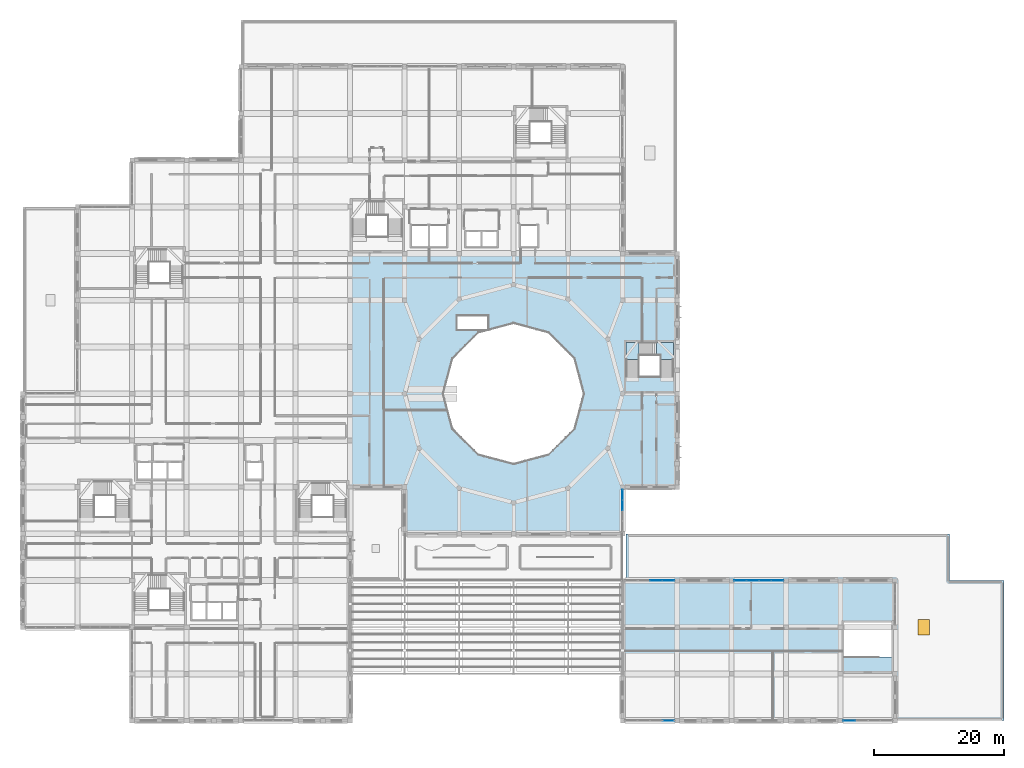
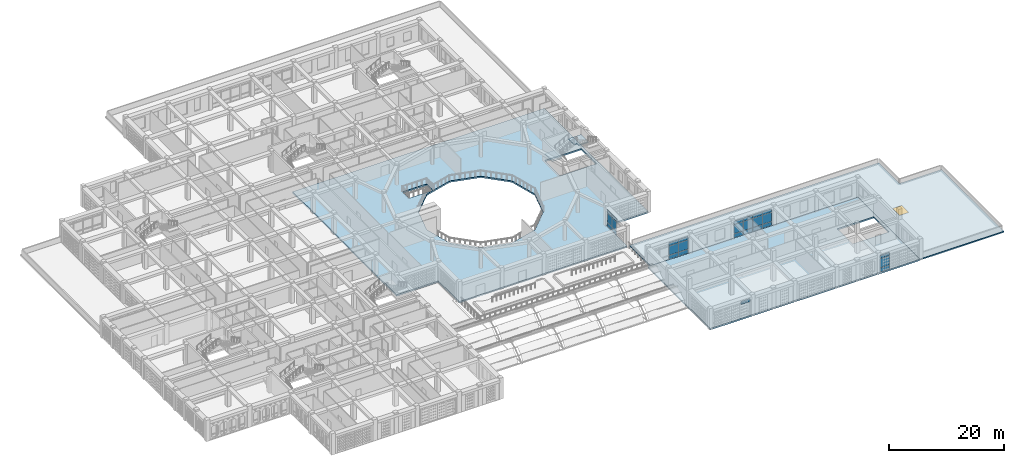
# One storey, part 43 of 100: 28 plates, 5 slabs, 1 window, 1 opening, 6 elements without a shape of their own.
"""IFC4 building model written with IfcOpenShell, lengths in metres."""

from ifc_helpers import new_model, si_unit, derived_unit, direction, frame, origin, origin_2d, place, context, subcontext, project, spatial, polyline, rectangle, outline, extrude, material, layer, layer_set, type_object, element, fill, aggregate, save


model = new_model("IFC4")

# Units and contexts
model_context = context("Model", 3, precision=1e-05, world=origin(), true_north=direction((0.0, 1.0)))
body_context = subcontext(model_context, "Body", "Model", "MODEL_VIEW")
ifc_project = project(units=[si_unit("LENGTHUNIT", "METRE"), si_unit("AREAUNIT", "SQUARE_METRE"), si_unit("VOLUMEUNIT", "CUBIC_METRE"), si_unit("PLANEANGLEUNIT", "RADIAN"), si_unit("MASSUNIT", "GRAM", prefix="KILO"), derived_unit("THERMALTRANSMITTANCEUNIT", [(si_unit("POWERUNIT", "WATT"), 1), (si_unit("LENGTHUNIT", "METRE"), -2), (si_unit("THERMODYNAMICTEMPERATUREUNIT", "KELVIN"), -1)])], contexts=[model_context])

# Site, building, storey
site_placement = place(None, origin())
site = spatial("IfcSite", under=ifc_project, at=site_placement, CompositionType="ELEMENT")
building_placement = place(site_placement, origin())
building = spatial("IfcBuilding", under=site, at=building_placement, Name="Veybourne Emporium", CompositionType="ELEMENT")
storey_placement = place(building_placement, frame((0.0, 0.0, 14.39990234375)))
storey = spatial("IfcBuildingStorey", under=building, at=storey_placement, Name="L03", CompositionType="ELEMENT", Elevation=14.39990234375)

# Curtain wall, plates
ifc_material_1 = material(Name="Patinated Architectural Bronze", Category="bronze")
curtain_wall_type_1 = type_object("IfcCurtainWallType", Name="CWSystem_CWS-17", PredefinedType="NOTDEFINED", material=ifc_material_1)
curtain_wall_1_placement = place(storey_placement, origin())
curtain_wall_1 = element("IfcCurtainWall", 1, at=curtain_wall_1_placement, inside=storey, type_object=curtain_wall_type_1, Name="L03 bronze glazed curtain wall CWS-17 (042)", PredefinedType="NOTDEFINED")
ifc_material_2 = material(Name="Low-E Triple Glazing", Category="glass")
ifc_layer_1 = layer(ifc_material_2, 0.028076171875)
ifc_layer_set_1 = layer_set([ifc_layer_1], Name="Low-E Triple Glazing")
plate_type = type_object("IfcPlateType", Name="CWPanel_CW-P1", PredefinedType="CURTAIN_PANEL", material=ifc_layer_set_1)
plate_1_placement = place(storey_placement, frame((92.39990234375, 34.819580078125, 0.072021484375), z_axis=(0.0, 0.0, 1.0), x_axis=(0.0, -1.0, 0.0)))
plate_1 = element("IfcPlate", 2, at=plate_1_placement, type_object=plate_type, Name="CWS-17 panel 1.1", PredefinedType="CURTAIN_PANEL", context=body_context, shape_type="SweptSolid", body=[
    extrude(rectangle(XDim=1.51708984375, YDim=0.028076171875, at=origin_2d()), origin(), (0.0, 0.0, 1.0), 0.7919921875),
])
plate_2_placement = place(storey_placement, frame((92.39990234375, 34.819580078125, 0.93603515625), z_axis=(0.0, 0.0, 1.0), x_axis=(0.0, -1.0, 0.0)))
plate_2 = element("IfcPlate", 3, at=plate_2_placement, type_object=plate_type, Name="CWS-17 panel 1.2", PredefinedType="CURTAIN_PANEL", context=body_context, shape_type="SweptSolid", body=[
    extrude(rectangle(XDim=1.51708984375, YDim=0.028076171875, at=origin_2d()), origin(), (0.0, 0.0, 1.0), 1.907958984375),
])
plate_3_placement = place(storey_placement, frame((92.39990234375, 34.819580078125, 2.916015625), z_axis=(0.0, 0.0, 1.0), x_axis=(0.0, -1.0, 0.0)))
plate_3 = element("IfcPlate", 4, at=plate_3_placement, type_object=plate_type, Name="CWS-17 panel 1.3", PredefinedType="CURTAIN_PANEL", context=body_context, shape_type="SweptSolid", body=[
    extrude(rectangle(XDim=1.51708984375, YDim=0.028076171875, at=origin_2d()), origin(), (0.0, 0.0, 1.0), 0.64208984375),
])
plate_4_placement = place(storey_placement, frame((92.39990234375, 33.21240234375, 0.072021484375), z_axis=(0.0, 0.0, 1.0), x_axis=(0.0, -1.0, 0.0)))
plate_4 = element("IfcPlate", 5, at=plate_4_placement, type_object=plate_type, Name="CWS-17 panel 2.1", PredefinedType="CURTAIN_PANEL", context=body_context, shape_type="SweptSolid", body=[
    extrude(rectangle(XDim=1.552978515625, YDim=0.028076171875, at=origin_2d()), origin(), (0.0, 0.0, 1.0), 0.7919921875),
])
plate_5_placement = place(storey_placement, frame((92.39990234375, 33.21240234375, 0.93603515625), z_axis=(0.0, 0.0, 1.0), x_axis=(0.0, -1.0, 0.0)))
plate_5 = element("IfcPlate", 6, at=plate_5_placement, type_object=plate_type, Name="CWS-17 panel 2.2", PredefinedType="CURTAIN_PANEL", context=body_context, shape_type="SweptSolid", body=[
    extrude(rectangle(XDim=1.552978515625, YDim=0.028076171875, at=origin_2d()), origin(), (0.0, 0.0, 1.0), 1.907958984375),
])
plate_6_placement = place(storey_placement, frame((92.39990234375, 33.21240234375, 2.916015625), z_axis=(0.0, 0.0, 1.0), x_axis=(0.0, -1.0, 0.0)))
plate_6 = element("IfcPlate", 7, at=plate_6_placement, type_object=plate_type, Name="CWS-17 panel 2.3", PredefinedType="CURTAIN_PANEL", context=body_context, shape_type="SweptSolid", body=[
    extrude(rectangle(XDim=1.552978515625, YDim=0.028076171875, at=origin_2d()), origin(), (0.0, 0.0, 1.0), 0.64208984375),
])
aggregate(curtain_wall_1, [plate_1, plate_2, plate_3, plate_4, plate_5, plate_6])

# Curtain wall, plate
curtain_wall_type_2 = type_object("IfcCurtainWallType", Name="CWSystem_CWS-19", PredefinedType="NOTDEFINED", material=ifc_material_1)
curtain_wall_2_placement = place(storey_placement, origin())
curtain_wall_2 = element("IfcCurtainWall", 8, at=curtain_wall_2_placement, inside=storey, type_object=curtain_wall_type_2, Name="L03 bronze glazed curtain wall CWS-19 (048)", PredefinedType="NOTDEFINED")
plate_7_placement = place(storey_placement, frame((99.468017578125, 0.0, 2.9189453125), z_axis=(0.0, 0.0, 1.0), x_axis=(-1.0, 0.0, 0.0)))
plate_7 = element("IfcPlate", 9, at=plate_7_placement, type_object=plate_type, Name="CWS-19 panel 1.3", PredefinedType="CURTAIN_PANEL", context=body_context, shape_type="SweptSolid", body=[
    extrude(rectangle(XDim=1.80810546875, YDim=0.028076171875, at=origin_2d()), origin(), (0.0, 0.0, 1.0), 0.633056640625),
])
aggregate(curtain_wall_2, [plate_7])

# Curtain wall, plates
curtain_wall_type_3 = type_object("IfcCurtainWallType", Name="CWSystem_CWS-20", PredefinedType="NOTDEFINED", material=ifc_material_1)
curtain_wall_3_placement = place(storey_placement, origin())
curtain_wall_3 = element("IfcCurtainWall", 10, at=curtain_wall_3_placement, inside=storey, type_object=curtain_wall_type_3, Name="L03 bronze glazed curtain wall CWS-20 (051)", PredefinedType="NOTDEFINED")
plate_8_placement = place(storey_placement, frame((97.5625, 21.60009765625, 0.070068359375), z_axis=(0.0, 0.0, 1.0), x_axis=(1.0, 0.0, 0.0)))
plate_8 = element("IfcPlate", 11, at=plate_8_placement, type_object=plate_type, Name="CWS-20 panel 3.1", PredefinedType="CURTAIN_PANEL", context=body_context, shape_type="SweptSolid", body=[
    extrude(rectangle(XDim=1.85498046875, YDim=0.028076171875, at=origin_2d()), origin(), (0.0, 0.0, 1.0), 0.794921875),
])
plate_9_placement = place(storey_placement, frame((97.5625, 21.60009765625, 0.93505859375), z_axis=(0.0, 0.0, 1.0), x_axis=(1.0, 0.0, 0.0)))
plate_9 = element("IfcPlate", 12, at=plate_9_placement, type_object=plate_type, Name="CWS-20 panel 3.2", PredefinedType="CURTAIN_PANEL", context=body_context, shape_type="SweptSolid", body=[
    extrude(rectangle(XDim=1.85498046875, YDim=0.028076171875, at=origin_2d()), origin(), (0.0, 0.0, 1.0), 1.909912109375),
])
plate_10_placement = place(storey_placement, frame((97.5625, 21.60009765625, 2.9150390625), z_axis=(0.0, 0.0, 1.0), x_axis=(1.0, 0.0, 0.0)))
plate_10 = element("IfcPlate", 13, at=plate_10_placement, type_object=plate_type, Name="CWS-20 panel 3.3", PredefinedType="CURTAIN_PANEL", context=body_context, shape_type="SweptSolid", body=[
    extrude(rectangle(XDim=1.85498046875, YDim=0.028076171875, at=origin_2d()), origin(), (0.0, 0.0, 1.0), 0.64501953125),
])
plate_11_placement = place(storey_placement, frame((99.469970703125, 21.60009765625, 0.070068359375), z_axis=(0.0, 0.0, 1.0), x_axis=(1.0, 0.0, 0.0)))
plate_11 = element("IfcPlate", 14, at=plate_11_placement, type_object=plate_type, Name="CWS-20 panel 4.1", PredefinedType="CURTAIN_PANEL", context=body_context, shape_type="SweptSolid", body=[
    extrude(rectangle(XDim=1.820068359375, YDim=0.028076171875, at=origin_2d()), origin(), (0.0, 0.0, 1.0), 0.794921875),
])
plate_12_placement = place(storey_placement, frame((99.469970703125, 21.60009765625, 0.93505859375), z_axis=(0.0, 0.0, 1.0), x_axis=(1.0, 0.0, 0.0)))
plate_12 = element("IfcPlate", 15, at=plate_12_placement, type_object=plate_type, Name="CWS-20 panel 4.2", PredefinedType="CURTAIN_PANEL", context=body_context, shape_type="SweptSolid", body=[
    extrude(rectangle(XDim=1.820068359375, YDim=0.028076171875, at=origin_2d()), origin(), (0.0, 0.0, 1.0), 1.909912109375),
])
plate_13_placement = place(storey_placement, frame((99.469970703125, 21.60009765625, 2.9150390625), z_axis=(0.0, 0.0, 1.0), x_axis=(1.0, 0.0, 0.0)))
plate_13 = element("IfcPlate", 16, at=plate_13_placement, type_object=plate_type, Name="CWS-20 panel 4.3", PredefinedType="CURTAIN_PANEL", context=body_context, shape_type="SweptSolid", body=[
    extrude(rectangle(XDim=1.820068359375, YDim=0.028076171875, at=origin_2d()), origin(), (0.0, 0.0, 1.0), 0.64501953125),
])
aggregate(curtain_wall_3, [plate_8, plate_9, plate_10, plate_11, plate_12, plate_13])

curtain_wall_type_4 = type_object("IfcCurtainWallType", Name="CWSystem_CWS-21", PredefinedType="NOTDEFINED", material=ifc_material_1)
curtain_wall_4_placement = place(storey_placement, origin())
curtain_wall_4 = element("IfcCurtainWall", 17, at=curtain_wall_4_placement, inside=storey, type_object=curtain_wall_type_4, Name="L03 bronze glazed curtain wall CWS-21 (063)", PredefinedType="NOTDEFINED")
plate_14_placement = place(storey_placement, frame((110.530517578125, 21.60009765625, 0.072021484375), z_axis=(0.0, 0.0, 1.0), x_axis=(1.0, 0.0, 0.0)))
plate_14 = element("IfcPlate", 18, at=plate_14_placement, type_object=plate_type, Name="CWS-21 panel 1.1", PredefinedType="CURTAIN_PANEL", context=body_context, shape_type="SweptSolid", body=[
    extrude(rectangle(XDim=1.81689453125, YDim=0.028076171875, at=origin_2d()), origin(), (0.0, 0.0, 1.0), 0.7919921875),
])
plate_15_placement = place(storey_placement, frame((110.530517578125, 21.60009765625, 0.93603515625), z_axis=(0.0, 0.0, 1.0), x_axis=(1.0, 0.0, 0.0)))
plate_15 = element("IfcPlate", 19, at=plate_15_placement, type_object=plate_type, Name="CWS-21 panel 1.2", PredefinedType="CURTAIN_PANEL", context=body_context, shape_type="SweptSolid", body=[
    extrude(rectangle(XDim=1.81689453125, YDim=0.028076171875, at=origin_2d()), origin(), (0.0, 0.0, 1.0), 1.907958984375),
])
plate_16_placement = place(storey_placement, frame((110.530517578125, 21.60009765625, 2.916015625), z_axis=(0.0, 0.0, 1.0), x_axis=(1.0, 0.0, 0.0)))
plate_16 = element("IfcPlate", 20, at=plate_16_placement, type_object=plate_type, Name="CWS-21 panel 1.3", PredefinedType="CURTAIN_PANEL", context=body_context, shape_type="SweptSolid", body=[
    extrude(rectangle(XDim=1.81689453125, YDim=0.028076171875, at=origin_2d()), origin(), (0.0, 0.0, 1.0), 0.64208984375),
])
plate_17_placement = place(storey_placement, frame((112.4375, 21.60009765625, 0.072021484375), z_axis=(0.0, 0.0, 1.0), x_axis=(1.0, 0.0, 0.0)))
plate_17 = element("IfcPlate", 21, at=plate_17_placement, type_object=plate_type, Name="CWS-21 panel 2.1", PredefinedType="CURTAIN_PANEL", context=body_context, shape_type="SweptSolid", body=[
    extrude(rectangle(XDim=1.85302734375, YDim=0.028076171875, at=origin_2d()), origin(), (0.0, 0.0, 1.0), 0.7919921875),
])
plate_18_placement = place(storey_placement, frame((112.4375, 21.60009765625, 0.93603515625), z_axis=(0.0, 0.0, 1.0), x_axis=(1.0, 0.0, 0.0)))
plate_18 = element("IfcPlate", 22, at=plate_18_placement, type_object=plate_type, Name="CWS-21 panel 2.2", PredefinedType="CURTAIN_PANEL", context=body_context, shape_type="SweptSolid", body=[
    extrude(rectangle(XDim=1.85302734375, YDim=0.028076171875, at=origin_2d()), origin(), (0.0, 0.0, 1.0), 1.907958984375),
])
plate_19_placement = place(storey_placement, frame((112.4375, 21.60009765625, 2.916015625), z_axis=(0.0, 0.0, 1.0), x_axis=(1.0, 0.0, 0.0)))
plate_19 = element("IfcPlate", 23, at=plate_19_placement, type_object=plate_type, Name="CWS-21 panel 2.3", PredefinedType="CURTAIN_PANEL", context=body_context, shape_type="SweptSolid", body=[
    extrude(rectangle(XDim=1.85302734375, YDim=0.028076171875, at=origin_2d()), origin(), (0.0, 0.0, 1.0), 0.64208984375),
])
plate_20_placement = place(storey_placement, frame((114.362548828125, 21.60009765625, 0.072021484375), z_axis=(0.0, 0.0, 1.0), x_axis=(1.0, 0.0, 0.0)))
plate_20 = element("IfcPlate", 24, at=plate_20_placement, type_object=plate_type, Name="CWS-21 panel 3.1", PredefinedType="CURTAIN_PANEL", context=body_context, shape_type="SweptSolid", body=[
    extrude(rectangle(XDim=1.85302734375, YDim=0.028076171875, at=origin_2d()), origin(), (0.0, 0.0, 1.0), 0.7919921875),
])
plate_21_placement = place(storey_placement, frame((114.362548828125, 21.60009765625, 0.93603515625), z_axis=(0.0, 0.0, 1.0), x_axis=(1.0, 0.0, 0.0)))
plate_21 = element("IfcPlate", 25, at=plate_21_placement, type_object=plate_type, Name="CWS-21 panel 3.2", PredefinedType="CURTAIN_PANEL", context=body_context, shape_type="SweptSolid", body=[
    extrude(rectangle(XDim=1.85302734375, YDim=0.028076171875, at=origin_2d()), origin(), (0.0, 0.0, 1.0), 1.907958984375),
])
plate_22_placement = place(storey_placement, frame((114.362548828125, 21.60009765625, 2.916015625), z_axis=(0.0, 0.0, 1.0), x_axis=(1.0, 0.0, 0.0)))
plate_22 = element("IfcPlate", 26, at=plate_22_placement, type_object=plate_type, Name="CWS-21 panel 3.3", PredefinedType="CURTAIN_PANEL", context=body_context, shape_type="SweptSolid", body=[
    extrude(rectangle(XDim=1.85302734375, YDim=0.028076171875, at=origin_2d()), origin(), (0.0, 0.0, 1.0), 0.64208984375),
])
plate_23_placement = place(storey_placement, frame((116.26953125, 21.60009765625, 0.072021484375), z_axis=(0.0, 0.0, 1.0), x_axis=(1.0, 0.0, 0.0)))
plate_23 = element("IfcPlate", 27, at=plate_23_placement, type_object=plate_type, Name="CWS-21 panel 4.1", PredefinedType="CURTAIN_PANEL", context=body_context, shape_type="SweptSolid", body=[
    extrude(rectangle(XDim=1.81689453125, YDim=0.028076171875, at=origin_2d()), origin(), (0.0, 0.0, 1.0), 0.7919921875),
])
plate_24_placement = place(storey_placement, frame((116.26953125, 21.60009765625, 0.93603515625), z_axis=(0.0, 0.0, 1.0), x_axis=(1.0, 0.0, 0.0)))
plate_24 = element("IfcPlate", 28, at=plate_24_placement, type_object=plate_type, Name="CWS-21 panel 4.2", PredefinedType="CURTAIN_PANEL", context=body_context, shape_type="SweptSolid", body=[
    extrude(rectangle(XDim=1.81689453125, YDim=0.028076171875, at=origin_2d()), origin(), (0.0, 0.0, 1.0), 1.907958984375),
])
plate_25_placement = place(storey_placement, frame((116.26953125, 21.60009765625, 2.916015625), z_axis=(0.0, 0.0, 1.0), x_axis=(1.0, 0.0, 0.0)))
plate_25 = element("IfcPlate", 29, at=plate_25_placement, type_object=plate_type, Name="CWS-21 panel 4.3", PredefinedType="CURTAIN_PANEL", context=body_context, shape_type="SweptSolid", body=[
    extrude(rectangle(XDim=1.81689453125, YDim=0.028076171875, at=origin_2d()), origin(), (0.0, 0.0, 1.0), 0.64208984375),
])
aggregate(curtain_wall_4, [plate_14, plate_15, plate_16, plate_17, plate_18, plate_19, plate_20, plate_21, plate_22, plate_23, plate_24, plate_25])

curtain_wall_type_5 = type_object("IfcCurtainWallType", Name="CWSystem_CWS-22", PredefinedType="NOTDEFINED", material=ifc_material_1)
curtain_wall_5_placement = place(storey_placement, origin())
curtain_wall_5 = element("IfcCurtainWall", 30, at=curtain_wall_5_placement, inside=storey, type_object=curtain_wall_type_5, Name="L03 bronze glazed curtain wall CWS-22 (066)", PredefinedType="NOTDEFINED")
plate_26_placement = place(storey_placement, frame((127.331298828125, 0.0, 0.074951171875), z_axis=(0.0, 0.0, 1.0), x_axis=(-1.0, 0.0, 0.0)))
plate_26 = element("IfcPlate", 31, at=plate_26_placement, type_object=plate_type, Name="CWS-22 panel 4.1", PredefinedType="CURTAIN_PANEL", context=body_context, shape_type="SweptSolid", body=[
    extrude(rectangle(XDim=1.8125, YDim=0.028076171875, at=origin_2d()), origin(), (0.0, 0.0, 1.0), 0.78759765625),
])
plate_27_placement = place(storey_placement, frame((127.331298828125, 0.0, 0.9375), z_axis=(0.0, 0.0, 1.0), x_axis=(-1.0, 0.0, 0.0)))
plate_27 = element("IfcPlate", 32, at=plate_27_placement, type_object=plate_type, Name="CWS-22 panel 4.2", PredefinedType="CURTAIN_PANEL", context=body_context, shape_type="SweptSolid", body=[
    extrude(rectangle(XDim=1.8125, YDim=0.028076171875, at=origin_2d()), origin(), (0.0, 0.0, 1.0), 1.905029296875),
])
plate_28_placement = place(storey_placement, frame((127.331298828125, 0.0, 2.91748046875), z_axis=(0.0, 0.0, 1.0), x_axis=(-1.0, 0.0, 0.0)))
plate_28 = element("IfcPlate", 33, at=plate_28_placement, type_object=plate_type, Name="CWS-22 panel 4.3", PredefinedType="CURTAIN_PANEL", context=body_context, shape_type="SweptSolid", body=[
    extrude(rectangle(XDim=1.8125, YDim=0.028076171875, at=origin_2d()), origin(), (0.0, 0.0, 1.0), 0.637451171875),
])
aggregate(curtain_wall_5, [plate_26, plate_27, plate_28])

# Stair, slabs
ifc_material_3 = material(Name="Concrete C32/40", Category="concrete")
stair_type = type_object("IfcStairType", Name="Stair_ST-07-R30", PredefinedType="TWO_QUARTER_TURN_STAIR", material=ifc_material_3)
stair_placement = place(storey_placement, origin())
stair = element("IfcStair", 34, at=stair_placement, inside=storey, type_object=stair_type, Name="L03 stair ST-07", PredefinedType="TWO_QUARTER_TURN_STAIR")
ifc_layer_2 = layer(ifc_material_3, 0.199951171875)
ifc_layer_set_2 = layer_set([ifc_layer_2], Name="Concrete C32/40")
slab_type_1 = type_object("IfcSlabType", Name="Landing_LDG-01", PredefinedType="LANDING", material=ifc_layer_set_2)
slab_1_placement = place(storey_placement, frame((0.0, 0.0, 1.300048828125)))
slab_1 = element("IfcSlab", 35, at=slab_1_placement, type_object=slab_type_1, Name="ST-07-R30 landing 1", PredefinedType="LANDING", context=body_context, shape_type="SweptSolid", body=[
    extrude(outline(polyline([(92.949951171875, 55.699951171875), (94.949951171875, 55.699951171875), (94.949951171875, 58.300048828125), (92.949951171875, 58.300048828125), (92.949951171875, 55.699951171875)])), origin(), (0.0, 0.0, 1.0), 0.199951171875),
])
slab_2_placement = place(storey_placement, frame((0.0, 0.0, 2.800048828125)))
slab_2 = element("IfcSlab", 36, at=slab_2_placement, type_object=slab_type_1, Name="ST-07-R30 landing 2", PredefinedType="LANDING", context=body_context, shape_type="SweptSolid", body=[
    extrude(outline(polyline([(97.64990234375, 56.300048828125), (98.25, 56.300048828125), (98.25, 55.699951171875), (100.25, 55.699951171875), (100.25, 58.300048828125), (97.64990234375, 58.300048828125), (97.64990234375, 56.300048828125)])), origin(), (0.0, 0.0, 1.0), 0.199951171875),
])
aggregate(stair, [slab_1, slab_2])

# Slabs
ifc_layer_3 = layer(ifc_material_3, 0.320068359375)
ifc_layer_set_3 = layer_set([ifc_layer_3], Name="Concrete C32/40")
slab_type_2 = type_object("IfcSlabType", Name="Slab_FS-02", PredefinedType="FLOOR", material=ifc_layer_set_3)
slab_3_placement = place(storey_placement, frame((0.0, 0.0, -0.31982421875)))
element("IfcSlab", 37, at=slab_3_placement, inside=storey, type_object=slab_type_2, Name="L03 floor slab FS-02 (V2.1)", PredefinedType="FLOOR", context=body_context, shape_type="SweptSolid", body=[
    extrude(outline(polyline([(50.39990234375, 36.0), (50.39990234375, 43.199951171875), (50.39990234375, 50.39990234375), (50.39990234375, 57.60009765625), (50.39990234375, 64.800048828125), (50.39990234375, 72.0), (58.800048828125, 72.0), (67.199951171875, 72.0), (75.60009765625, 72.0), (84.0, 72.0), (92.39990234375, 72.0), (100.800048828125, 72.0), (100.800048828125, 64.800048828125), (100.800048828125, 57.60009765625), (100.800048828125, 50.39990234375), (100.800048828125, 43.199951171875), (100.800048828125, 36.0), (92.39990234375, 36.0), (92.39990234375, 28.800048828125), (84.0, 28.800048828125), (75.60009765625, 28.800048828125), (67.199951171875, 28.800048828125), (58.800048828125, 28.800048828125), (58.800048828125, 36.0), (50.39990234375, 36.0)]), holes=[polyline([(75.60009765625, 39.60009765625), (81.0, 41.046875), (84.953125, 45.0), (86.39990234375, 50.39990234375), (84.953125, 55.800048828125), (81.0, 59.753173828125), (75.60009765625, 61.199951171875), (70.199951171875, 59.753173828125), (66.246826171875, 55.800048828125), (64.800048828125, 50.39990234375), (66.246826171875, 45.0), (70.199951171875, 41.046875), (75.60009765625, 39.60009765625)]), polyline([(100.25, 53.0), (100.25, 58.300048828125), (92.949951171875, 58.300048828125), (92.949951171875, 53.0), (100.25, 53.0)]), polyline([(66.89990234375, 60.2119140625), (71.699951171875, 60.2119140625), (71.699951171875, 62.411865234375), (66.89990234375, 62.411865234375), (66.89990234375, 60.2119140625)])]), origin(), (0.0, 0.0, 1.0), 0.31982421875),
])
slab_4_placement = place(storey_placement, frame((0.0, 0.0, -0.31982421875)))
element("IfcSlab", 38, at=slab_4_placement, inside=storey, type_object=slab_type_2, Name="L03 floor slab FS-02 (V4.1)", PredefinedType="FLOOR", context=body_context, shape_type="SweptSolid", body=[
    extrude(outline(polyline([(92.39990234375, 21.60009765625), (100.800048828125, 21.60009765625), (109.199951171875, 21.60009765625), (117.60009765625, 21.60009765625), (126.0, 21.60009765625), (134.39990234375, 21.60009765625), (134.39990234375, 14.39990234375), (134.39990234375, 7.199951171875), (134.39990234375, 0.0), (126.0, 0.0), (117.60009765625, 0.0), (109.199951171875, 0.0), (100.800048828125, 0.0), (92.39990234375, 0.0), (92.39990234375, 7.199951171875), (92.39990234375, 14.39990234375), (92.39990234375, 21.60009765625)]), holes=[polyline([(133.85009765625, 9.800048828125), (133.85009765625, 15.10009765625), (126.550048828125, 15.10009765625), (126.550048828125, 9.800048828125), (133.85009765625, 9.800048828125)])]), origin(), (0.0, 0.0, 1.0), 0.31982421875),
])

# Slab, opening, window
ifc_layer_4 = layer(ifc_material_3, 0.260009765625)
ifc_layer_set_4 = layer_set([ifc_layer_4], Name="Concrete C32/40")
slab_type_3 = type_object("IfcSlabType", Name="Slab_RS-01", PredefinedType="ROOF", material=ifc_layer_set_4)
slab_5_placement = place(storey_placement, frame((0.0, 0.0, -0.260009765625)))
slab_5 = element("IfcSlab", 39, at=slab_5_placement, inside=storey, type_object=slab_type_3, Name="L03 flat roof slab 4", PredefinedType="ROOF", context=body_context, shape_type="SweptSolid", body=[
    extrude(outline(polyline([(117.60009765625, 21.60009765625), (109.199951171875, 21.60009765625), (100.800048828125, 21.60009765625), (92.89990234375, 21.60009765625), (92.89990234375, 28.800048828125), (100.800048828125, 28.800048828125), (109.199951171875, 28.800048828125), (117.60009765625, 28.800048828125), (126.0, 28.800048828125), (134.39990234375, 28.800048828125), (142.800048828125, 28.800048828125), (142.800048828125, 21.60009765625), (151.199951171875, 21.60009765625), (151.199951171875, 14.39990234375), (151.199951171875, 7.199951171875), (151.199951171875, 0.0), (142.800048828125, 0.0), (134.39990234375, 0.0), (134.39990234375, 7.199951171875), (134.39990234375, 14.39990234375), (134.39990234375, 21.60009765625), (126.0, 21.60009765625), (117.60009765625, 21.60009765625)])), origin(), (0.0, 0.0, 1.0), 0.260009765625),
])
opening_placement = place(slab_5_placement, frame((138.824951171875, 14.39990234375, -0.02001953125)))
opening = element("IfcOpeningElement", 40, at=opening_placement, cuts=slab_5, Name="Opening RH-04", PredefinedType="OPENING", context=body_context, shape_type="SweptSolid", body=[
    extrude(rectangle(XDim=1.800048828125, YDim=2.39990234375, at=origin_2d()), origin(), (0.0, 0.0, 1.0), 0.300048828125),
])
ifc_material_4 = material(Name="Solar Control Laminated Glass", Category="glass")
window_type = type_object("IfcWindowType", Name="Hatch_RH-04", PartitioningType="SINGLE_PANEL", PredefinedType="SKYLIGHT", material=ifc_material_4)
window_placement = place(slab_5_placement, frame((138.824951171875, 14.39990234375, 0.2099609375)))
window = element("IfcWindow", 41, at=window_placement, inside=storey, type_object=window_type, Name="L03 roof access skylight hatch RH-04", OverallHeight=2.39990234375, OverallWidth=1.800048828125, PartitioningType="SINGLE_PANEL", PredefinedType="SKYLIGHT", context=body_context, shape_type="SweptSolid", body=[
    extrude(rectangle(XDim=1.800048828125, YDim=2.39990234375, at=origin_2d()), origin(), (0.0, 0.0, 1.0), 0.050048828125),
])
fill(opening, window)

save(model, "model.ifc")
